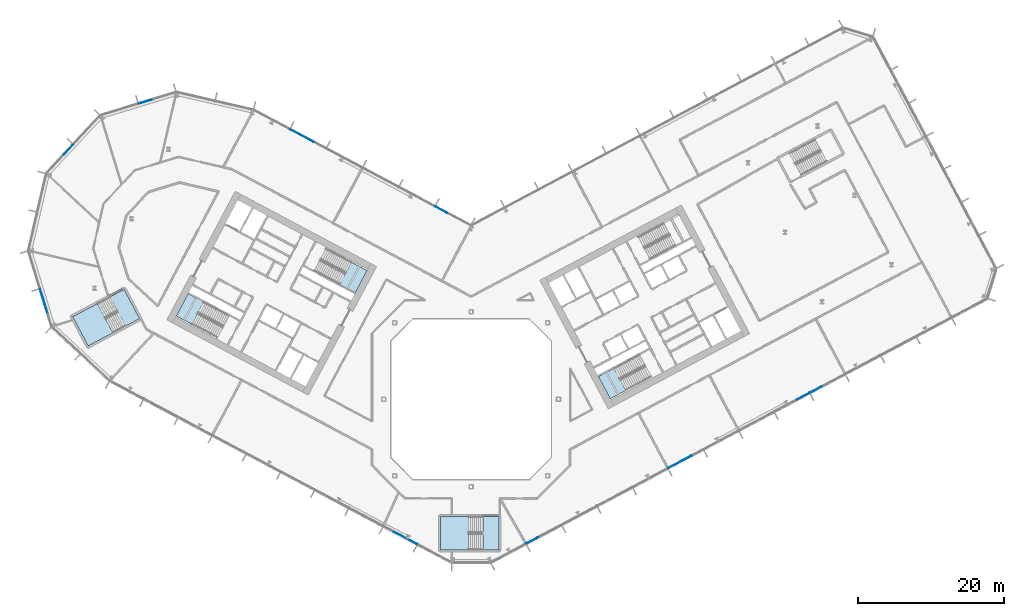
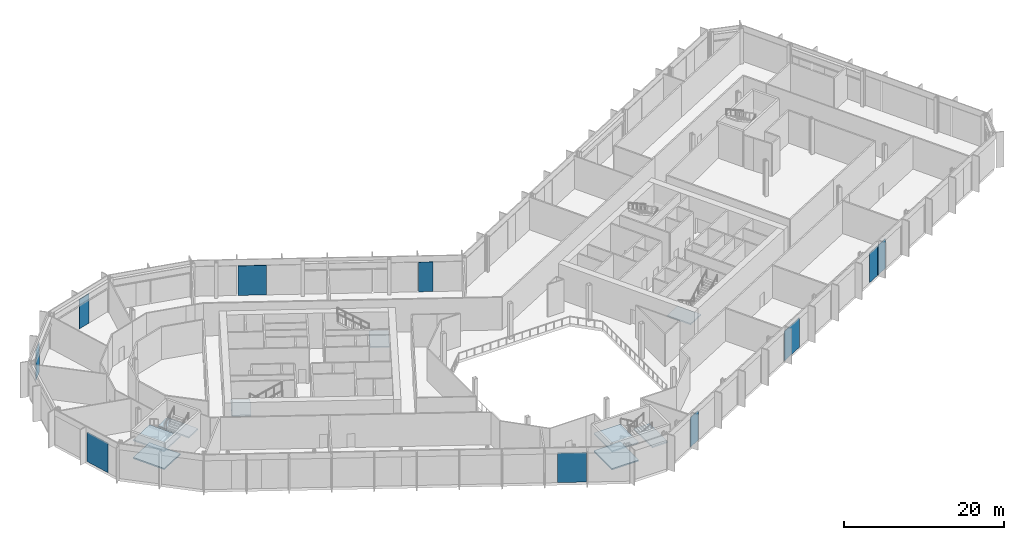
# One storey, part 9 of 30: 10 plates, 9 slabs, 11 elements without a shape of their own.
"""IFC4 building model written with IfcOpenShell, lengths in metres."""

from ifc_helpers import new_model, si_unit, direction, frame, origin, origin_2d, place, context, subcontext, project, spatial, polyline, rectangle, outline, extrude, material, layer, layer_set, type_object, element, aggregate, save


model = new_model("IFC4")

# Units and contexts
model_context = context("Model", 3, precision=1e-05, world=origin(), true_north=direction((0.0, 1.0)))
body_context = subcontext(model_context, "Body", "Model", "MODEL_VIEW")
ifc_project = project(units=[si_unit("LENGTHUNIT", "METRE"), si_unit("AREAUNIT", "SQUARE_METRE"), si_unit("VOLUMEUNIT", "CUBIC_METRE"), si_unit("PLANEANGLEUNIT", "RADIAN"), si_unit("MASSUNIT", "GRAM", prefix="KILO")], contexts=[model_context])

# Site, building, storey
site_placement = place(None, origin())
site = spatial("IfcSite", under=ifc_project, at=site_placement, CompositionType="ELEMENT")
building_placement = place(site_placement, origin())
building = spatial("IfcBuilding", under=site, at=building_placement, Name="Cormorant Relay Tower", CompositionType="ELEMENT")
storey_placement = place(building_placement, frame((0.0, 0.0, 44.60009765625)))
storey = spatial("IfcBuildingStorey", under=building, at=storey_placement, Name="L08", CompositionType="ELEMENT", Elevation=44.60009765625)

# Curtain wall, plates
ifc_material_1 = material(Name="Aluminium 6063-T6 anodised bronze", Category="aluminium")
ifc_layer_1 = layer(ifc_material_1, 0.235107421875)
ifc_layer_set_1 = layer_set([ifc_layer_1], Name="CW6 data hall curtain wall with mineral wool panels")
curtain_wall_type = type_object("IfcCurtainWallType", Name="CW6 data hall curtain wall with mineral wool panels", PredefinedType="NOTDEFINED", material=ifc_layer_set_1)
curtain_wall_1_placement = place(storey_placement, origin())
curtain_wall_1 = element("IfcCurtainWall", 1, at=curtain_wall_1_placement, inside=storey, type_object=curtain_wall_type, Name="CW6 curtain wall 2", PredefinedType="NOTDEFINED")
ifc_material_2 = material(Name="Tinted triple-glazed laminated unit")
ifc_layer_2 = layer(ifc_material_2, 0.074951171875)
ifc_layer_set_2 = layer_set([ifc_layer_2], Name="CW6 triple-glazed vision unit 1800 module")
plate_type_1 = type_object("IfcPlateType", Name="CW6 triple-glazed vision unit 1800 module", PredefinedType="CURTAIN_PANEL", material=ifc_layer_set_2)
plate_1_placement = place(storey_placement, frame((8.39404296875, -19.36328125, 0.0), z_axis=(0.0, 0.0, 1.0), x_axis=(0.882947592859, 0.469471562786, 0.0)))
plate_1 = element("IfcPlate", 2, at=plate_1_placement, type_object=plate_type_1, Name="CW6 panel V01", PredefinedType="CURTAIN_PANEL", context=body_context, shape_type="SweptSolid", body=[
    extrude(rectangle(XDim=1.800048828125, YDim=0.074951171875, at=origin_2d()), origin(), (0.0, 0.0, 1.0), 4.5),
])
plate_2_placement = place(storey_placement, frame((45.605712890625, 0.422607421875, 0.0), z_axis=(0.0, 0.0, 1.0), x_axis=(0.882947592859, 0.469471562786, 0.0)))
plate_2 = element("IfcPlate", 3, at=plate_2_placement, type_object=plate_type_1, Name="CW6 panel V08", PredefinedType="CURTAIN_PANEL", context=body_context, shape_type="SweptSolid", body=[
    extrude(rectangle(XDim=1.800048828125, YDim=0.074951171875, at=origin_2d()), origin(), (0.0, 0.0, 1.0), 4.5),
])
plate_3_placement = place(storey_placement, frame((47.327392578125, 1.337890625, 0.0), z_axis=(0.0, 0.0, 1.0), x_axis=(0.882947592859, 0.469471562786, 0.0)))
plate_3 = element("IfcPlate", 4, at=plate_3_placement, type_object=plate_type_1, Name="CW6 panel V09", PredefinedType="CURTAIN_PANEL", context=body_context, shape_type="SweptSolid", body=[
    extrude(rectangle(XDim=1.800048828125, YDim=0.074951171875, at=origin_2d()), origin(), (0.0, 0.0, 1.0), 4.5),
])

# Curtain wall, plate
curtain_wall_2_placement = place(storey_placement, origin())
curtain_wall_2 = element("IfcCurtainWall", 5, at=curtain_wall_2_placement, inside=storey, type_object=curtain_wall_type, Name="CW6 curtain wall 7", PredefinedType="NOTDEFINED")
plate_4_placement = place(storey_placement, frame((-4.1005859375, 26.006591796875, 0.0), z_axis=(0.0, 0.0, 1.0), x_axis=(-0.882947592859, 0.469471562786, 0.0)))
plate_4 = element("IfcPlate", 6, at=plate_4_placement, type_object=plate_type_1, Name="CW6 panel V01", PredefinedType="CURTAIN_PANEL", context=body_context, shape_type="SweptSolid", body=[
    extrude(rectangle(XDim=1.800048828125, YDim=0.074951171875, at=origin_2d()), origin(), (0.0, 0.0, 1.0), 4.5),
])

curtain_wall_3_placement = place(storey_placement, origin())
curtain_wall_3 = element("IfcCurtainWall", 7, at=curtain_wall_3_placement, inside=storey, type_object=curtain_wall_type, Name="CW6 curtain wall 9", PredefinedType="NOTDEFINED")
plate_5_placement = place(storey_placement, frame((-44.74169921875, 40.84521484375, 0.0), z_axis=(0.0, 0.0, 1.0), x_axis=(-0.956304755963, -0.292371704723, 0.0)))
plate_5 = element("IfcPlate", 8, at=plate_5_placement, type_object=plate_type_1, Name="CW6 panel V01", PredefinedType="CURTAIN_PANEL", context=body_context, shape_type="SweptSolid", body=[
    extrude(rectangle(XDim=1.800048828125, YDim=0.074951171875, at=origin_2d()), origin(), (0.0, 0.0, 1.0), 4.5),
])
aggregate(curtain_wall_3, [plate_5])

curtain_wall_4_placement = place(storey_placement, origin())
curtain_wall_4 = element("IfcCurtainWall", 9, at=curtain_wall_4_placement, inside=storey, type_object=curtain_wall_type, Name="CW6 curtain wall 10", PredefinedType="NOTDEFINED")
plate_6_placement = place(storey_placement, frame((-55.260009765625, 34.272705078125, 0.0), z_axis=(0.0, 0.0, 1.0), x_axis=(-0.681998360062, -0.731353701619, 0.0)))
plate_6 = element("IfcPlate", 10, at=plate_6_placement, type_object=plate_type_1, Name="CW6 panel V01", PredefinedType="CURTAIN_PANEL", context=body_context, shape_type="SweptSolid", body=[
    extrude(rectangle(XDim=1.800048828125, YDim=0.074951171875, at=origin_2d()), origin(), (0.0, 0.0, 1.0), 4.5),
])
aggregate(curtain_wall_4, [plate_6])

# Plate
ifc_material_3 = material(Name="Tinted triple-glazed laminated unit")
ifc_layer_3 = layer(ifc_material_3, 0.074951171875)
ifc_layer_set_3 = layer_set([ifc_layer_3], Name="CW6 triple-glazed vision unit 3600 module")
plate_type_2 = type_object("IfcPlateType", Name="CW6 triple-glazed vision unit 3600 module", PredefinedType="CURTAIN_PANEL", material=ifc_layer_set_3)
plate_7_placement = place(storey_placement, frame((28.6552734375, -8.590087890625, 0.0), z_axis=(0.0, 0.0, 1.0), x_axis=(0.882947592859, 0.469471562786, 0.0)))
plate_7 = element("IfcPlate", 11, at=plate_7_placement, type_object=plate_type_2, Name="CW6 panel V05", PredefinedType="CURTAIN_PANEL", context=body_context, shape_type="SweptSolid", body=[
    extrude(rectangle(XDim=3.60009765625, YDim=0.074951171875, at=origin_2d()), origin(), (0.0, 0.0, 1.0), 4.5),
])

aggregate(curtain_wall_1, [plate_1, plate_7, plate_2, plate_3])

plate_8_placement = place(storey_placement, frame((-23.2216796875, 36.173583984375, 0.0), z_axis=(0.0, 0.0, 1.0), x_axis=(-0.882947592859, 0.469471562786, 0.0)))
plate_8 = element("IfcPlate", 12, at=plate_8_placement, type_object=plate_type_2, Name="CW6 panel V05", PredefinedType="CURTAIN_PANEL", context=body_context, shape_type="SweptSolid", body=[
    extrude(rectangle(XDim=3.60009765625, YDim=0.074951171875, at=origin_2d()), origin(), (0.0, 0.0, 1.0), 4.5),
])

aggregate(curtain_wall_2, [plate_4, plate_8])

# Curtain wall, plate
curtain_wall_5_placement = place(storey_placement, origin())
curtain_wall_5 = element("IfcCurtainWall", 13, at=curtain_wall_5_placement, inside=storey, type_object=curtain_wall_type, Name="CW6 curtain wall 12", PredefinedType="NOTDEFINED")
plate_9_placement = place(storey_placement, frame((-58.618408203125, 13.3916015625, 0.0), z_axis=(0.0, 0.0, 1.0), x_axis=(0.292371704723, -0.956304755963, 0.0)))
plate_9 = element("IfcPlate", 14, at=plate_9_placement, type_object=plate_type_2, Name="CW6 panel V01", PredefinedType="CURTAIN_PANEL", context=body_context, shape_type="SweptSolid", body=[
    extrude(rectangle(XDim=3.60009765625, YDim=0.074951171875, at=origin_2d()), origin(), (0.0, 0.0, 1.0), 4.5),
])
aggregate(curtain_wall_5, [plate_9])

curtain_wall_6_placement = place(storey_placement, origin())
curtain_wall_6 = element("IfcCurtainWall", 15, at=curtain_wall_6_placement, inside=storey, type_object=curtain_wall_type, Name="CW6 curtain wall 14", PredefinedType="NOTDEFINED")
plate_10_placement = place(storey_placement, frame((-9.01611328125, -19.032470703125, 0.0), z_axis=(0.0, 0.0, 1.0), x_axis=(0.882947592859, -0.469471562786, 0.0)))
plate_10 = element("IfcPlate", 16, at=plate_10_placement, type_object=plate_type_2, Name="CW6 panel V08", PredefinedType="CURTAIN_PANEL", context=body_context, shape_type="SweptSolid", body=[
    extrude(rectangle(XDim=3.60009765625, YDim=0.074951171875, at=origin_2d()), origin(), (0.0, 0.0, 1.0), 4.5),
])
aggregate(curtain_wall_6, [plate_10])

# Stair, slab
ifc_material_4 = material(Name="Concrete 40 MPa", Category="concrete")
stair_type_1 = type_object("IfcStairType", Name="Exit stair 1500", PredefinedType="HALF_TURN_STAIR", material=ifc_material_4)
stair_1_placement = place(storey_placement, origin())
stair_1 = element("IfcStair", 17, at=stair_1_placement, inside=storey, type_object=stair_type_1, Name="L08 Stair", PredefinedType="HALF_TURN_STAIR")
ifc_material_5 = material(Name="Concrete 40 MPa", Category="concrete")
ifc_layer_4 = layer(ifc_material_5, 0.199951171875)
ifc_layer_set_4 = layer_set([ifc_layer_4], Name="Exit stair landing 200")
slab_type = type_object("IfcSlabType", Name="Exit stair landing 200", PredefinedType="LANDING", material=ifc_layer_set_4)
slab_1_placement = place(storey_placement, frame((0.0, 0.0, 2.5)))
slab_1 = element("IfcSlab", 18, at=slab_1_placement, type_object=slab_type, Name="A1 landing 1", PredefinedType="LANDING", context=body_context, shape_type="SweptSolid", body=[
    extrude(outline(polyline([(-18.04052734375, 15.764892578125), (-15.89501953125, 14.6240234375), (-14.275390625, 17.670166015625), (-16.4208984375, 18.81103515625), (-18.04052734375, 15.764892578125)])), origin(), (0.0, 0.0, 1.0), 0.199951171875),
])
aggregate(stair_1, [slab_1])

stair_2_placement = place(storey_placement, origin())
stair_2 = element("IfcStair", 19, at=stair_2_placement, inside=storey, type_object=stair_type_1, Name="L08 Stair", PredefinedType="HALF_TURN_STAIR")
slab_2_placement = place(storey_placement, frame((0.0, 0.0, 2.5)))
slab_2 = element("IfcSlab", 20, at=slab_2_placement, type_object=slab_type, Name="A2 landing 1", PredefinedType="LANDING", context=body_context, shape_type="SweptSolid", body=[
    extrude(outline(polyline([(-36.7021484375, 13.34228515625), (-38.84765625, 14.483154296875), (-40.467529296875, 11.43701171875), (-38.32177734375, 10.296142578125), (-36.7021484375, 13.34228515625)])), origin(), (0.0, 0.0, 1.0), 0.199951171875),
])
aggregate(stair_2, [slab_2])

stair_3_placement = place(storey_placement, origin())
stair_3 = element("IfcStair", 21, at=stair_3_placement, inside=storey, type_object=stair_type_1, Name="L08 Stair", PredefinedType="HALF_TURN_STAIR")
slab_3_placement = place(storey_placement, frame((0.0, 0.0, 2.5)))
slab_3 = element("IfcSlab", 22, at=slab_3_placement, type_object=slab_type, Name="B1 landing 1", PredefinedType="LANDING", context=body_context, shape_type="SweptSolid", body=[
    extrude(outline(polyline([(19.6259765625, 4.262939453125), (17.48046875, 3.1220703125), (19.10009765625, 0.075927734375), (21.24560546875, 1.216552734375), (19.6259765625, 4.262939453125)])), origin(), (0.0, 0.0, 1.0), 0.199951171875),
])
aggregate(stair_3, [slab_3])

# Stair, slabs
ifc_material_6 = material(Name="Concrete 40 MPa", Category="concrete")
stair_type_2 = type_object("IfcStairType", Name="Remote exit stair 2200", PredefinedType="HALF_TURN_STAIR", material=ifc_material_6)
stair_4_placement = place(storey_placement, origin())
stair_4 = element("IfcStair", 23, at=stair_4_placement, inside=storey, type_object=stair_type_2, Name="L08 Stair", PredefinedType="HALF_TURN_STAIR")
slab_4_placement = place(storey_placement, frame((0.0, 0.0, 1.14990234375)))
slab_4 = element("IfcSlab", 24, at=slab_4_placement, type_object=slab_type, Name="RK1 landing 1", PredefinedType="LANDING", context=body_context, shape_type="SweptSolid", body=[
    extrude(outline(polyline([(-0.360107421875, -16.125), (-4.199951171875, -16.125), (-4.199951171875, -20.675048828125), (-0.360107421875, -20.675048828125), (-0.360107421875, -16.125)])), origin(), (0.0, 0.0, 1.0), 0.199951171875),
])
slab_5_placement = place(storey_placement, frame((0.0, 0.0, 2.5)))
slab_5 = element("IfcSlab", 25, at=slab_5_placement, type_object=slab_type, Name="RK1 landing 2", PredefinedType="LANDING", context=body_context, shape_type="SweptSolid", body=[
    extrude(outline(polyline([(3.800048828125, -16.125), (1.60009765625, -16.125), (1.60009765625, -20.675048828125), (3.800048828125, -20.675048828125), (3.800048828125, -16.125)])), origin(), (0.0, 0.0, 1.0), 0.199951171875),
])
slab_6_placement = place(storey_placement, frame((0.0, 0.0, 3.849853515625)))
slab_6 = element("IfcSlab", 26, at=slab_6_placement, type_object=slab_type, Name="RK1 landing 3", PredefinedType="LANDING", context=body_context, shape_type="SweptSolid", body=[
    extrude(outline(polyline([(-0.360107421875, -16.125), (-4.199951171875, -16.125), (-4.199951171875, -20.675048828125), (-0.360107421875, -20.675048828125), (-0.360107421875, -16.125)])), origin(), (0.0, 0.0, 1.0), 0.199951171875),
])
aggregate(stair_4, [slab_4, slab_5, slab_6])

stair_5_placement = place(storey_placement, origin())
stair_5 = element("IfcStair", 27, at=stair_5_placement, inside=storey, type_object=stair_type_2, Name="L08 Stair", PredefinedType="HALF_TURN_STAIR")
slab_7_placement = place(storey_placement, frame((0.0, 0.0, 1.14990234375)))
slab_7 = element("IfcSlab", 28, at=slab_7_placement, type_object=slab_type, Name="RP1 landing 1", PredefinedType="LANDING", context=body_context, shape_type="SweptSolid", body=[
    extrude(outline(polyline([(-51.309326171875, 13.133544921875), (-54.699951171875, 11.330810546875), (-52.563720703125, 7.3134765625), (-49.17333984375, 9.1162109375), (-51.309326171875, 13.133544921875)])), origin(), (0.0, 0.0, 1.0), 0.199951171875),
])
slab_8_placement = place(storey_placement, frame((0.0, 0.0, 2.5)))
slab_8 = element("IfcSlab", 29, at=slab_8_placement, type_object=slab_type, Name="RP1 landing 2", PredefinedType="LANDING", context=body_context, shape_type="SweptSolid", body=[
    extrude(outline(polyline([(-47.63623046875, 15.086669921875), (-49.578857421875, 14.0537109375), (-47.442626953125, 10.036376953125), (-45.500244140625, 11.069091796875), (-47.63623046875, 15.086669921875)])), origin(), (0.0, 0.0, 1.0), 0.199951171875),
])
slab_9_placement = place(storey_placement, frame((0.0, 0.0, 3.849853515625)))
slab_9 = element("IfcSlab", 30, at=slab_9_placement, type_object=slab_type, Name="RP1 landing 3", PredefinedType="LANDING", context=body_context, shape_type="SweptSolid", body=[
    extrude(outline(polyline([(-51.309326171875, 13.133544921875), (-54.699951171875, 11.330810546875), (-52.563720703125, 7.3134765625), (-49.17333984375, 9.1162109375), (-51.309326171875, 13.133544921875)])), origin(), (0.0, 0.0, 1.0), 0.199951171875),
])
aggregate(stair_5, [slab_7, slab_8, slab_9])

save(model, "model.ifc")
